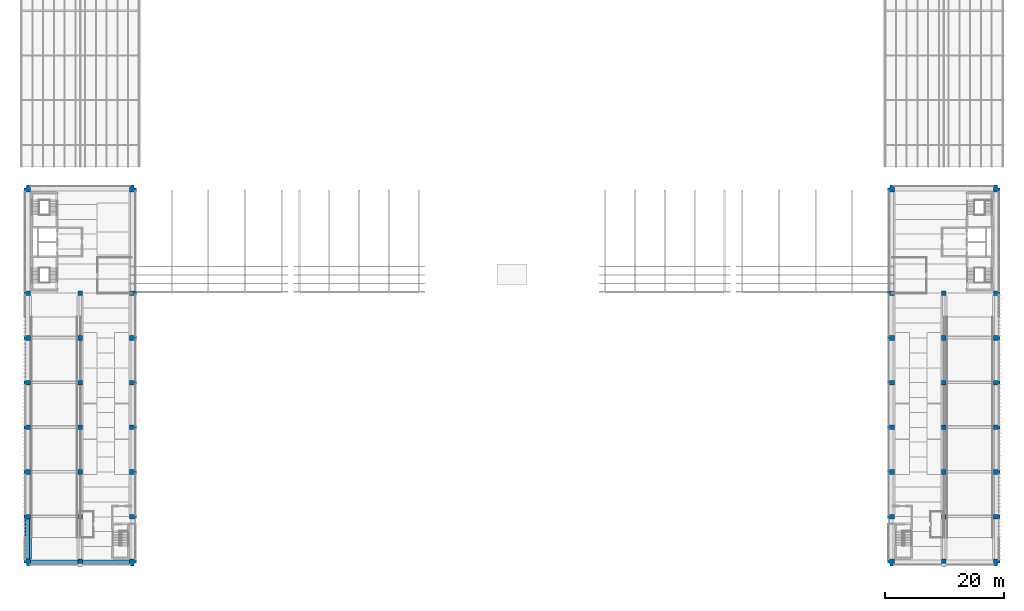
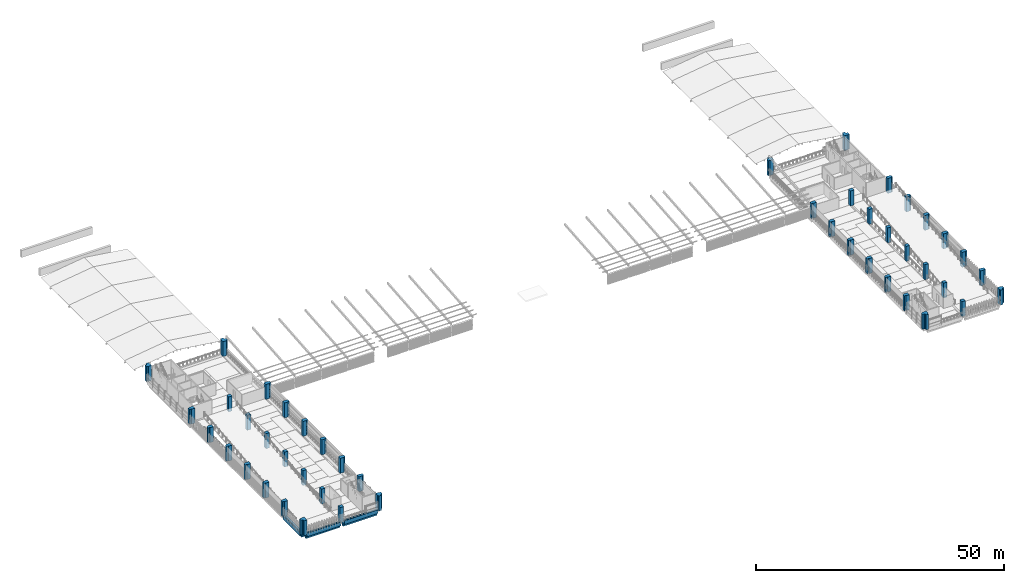
# One storey, part 1 of 52: 46 columns, 3 beams.
"""IFC4 building model written with IfcOpenShell, lengths in metres."""

import ifcopenshell
import ifcopenshell.guid

model = None  # the IFC model being written
_history = None  # IfcOwnerHistory: only IFC2X3 demands one
_inside = {}  # id of a spatial element -> (the spatial element, [elements in it])
_under = {}  # id of a project, library or spatial element -> (it, [spatial elements below it])
_declared = {}  # id of a project -> (the project, [libraries it declares])
_typed = {}  # id of a type object -> (the type object, [elements of that type])
_made_of = {}  # id of a material, layer set ... -> (it, [elements and type objects made of it])


def new_model(schema):
    """Start an empty IFC model of exactly this schema.

    Asked for "IFC4X3", IfcOpenShell would pick the latest addendum, in which some entities
    have other attributes; the version numbers below select the first issue.
    IFC2X3 requires an IfcOwnerHistory on every rooted entity: one is made here for all.
    """
    global model, _history
    if schema == "IFC4X3":
        model = ifcopenshell.file(schema_version=(4, 3, 0, 0))
    else:
        model = ifcopenshell.file(schema=schema)
    _inside.clear()
    _under.clear()
    _declared.clear()
    _typed.clear()
    _made_of.clear()
    _history = None
    if model.schema == "IFC2X3":
        org = make("IfcOrganization", Name="unknown")
        user = make(
            "IfcPersonAndOrganization",
            ThePerson=make("IfcPerson", FamilyName="unknown"),
            TheOrganization=org,
        )
        app = make(
            "IfcApplication",
            ApplicationDeveloper=org,
            Version="unknown",
            ApplicationFullName="unknown",
            ApplicationIdentifier="unknown",
        )
        _history = make(
            "IfcOwnerHistory",
            OwningUser=user,
            OwningApplication=app,
            ChangeAction="ADDED",
            CreationDate=0,
        )
    return model


def make(cls, **values):
    """One entity of the class cls with the attributes given. An attribute that is None is left unset."""
    return model.create_entity(
        cls, **{name: value for name, value in values.items() if value is not None}
    )


def rooted(cls, **values):
    """An entity with a GlobalId (a new one), such as an element, a storey or a relation."""
    return make(cls, GlobalId=ifcopenshell.guid.new(), OwnerHistory=_history, **values)


def si_unit(unit_type, name, prefix=None):
    """IfcSIUnit, for example si_unit("LENGTHUNIT", "METRE", prefix="MILLI")."""
    return make("IfcSIUnit", UnitType=unit_type, Prefix=prefix, Name=name)


def assignment(units):
    """IfcUnitAssignment: the units of a project."""
    return None if units is None else make("IfcUnitAssignment", Units=units)


def point(xyz):
    """IfcCartesianPoint."""
    return None if xyz is None else make("IfcCartesianPoint", Coordinates=xyz)


def direction(xyz):
    """IfcDirection."""
    return None if xyz is None else make("IfcDirection", DirectionRatios=xyz)


def frame(location, z_axis=None, x_axis=None):
    """IfcAxis2Placement3D, a coordinate frame: its origin and axes. An axis left out is left unset."""
    return make(
        "IfcAxis2Placement3D",
        Location=point(location),
        Axis=direction(z_axis),
        RefDirection=direction(x_axis),
    )


def origin():
    """The frame at (0, 0, 0) with its axes left unset."""
    return frame((0.0, 0.0, 0.0))


def place(relative_to, where):
    """IfcLocalPlacement: puts the frame where relative to a parent placement (None: the world)."""
    return make(
        "IfcLocalPlacement", PlacementRelTo=relative_to, RelativePlacement=where
    )


def context(
    kind, dimensions, precision=None, world=None, true_north=None, identifier=None
):
    """IfcGeometricRepresentationContext, for example the 3D "Model" context."""
    return make(
        "IfcGeometricRepresentationContext",
        ContextIdentifier=identifier,
        ContextType=kind,
        CoordinateSpaceDimension=dimensions,
        Precision=precision,
        WorldCoordinateSystem=world,
        TrueNorth=true_north,
    )


def subcontext(parent, identifier, kind, view, scale=None):
    """IfcGeometricRepresentationSubContext, for example "Body" below "Model"."""
    return make(
        "IfcGeometricRepresentationSubContext",
        ContextIdentifier=identifier,
        ContextType=kind,
        ParentContext=parent,
        TargetScale=scale,
        TargetView=view,
    )


def project(units=None, contexts=None):
    """IfcProject with its units and contexts."""
    return rooted(
        "IfcProject",
        Name="project",
        RepresentationContexts=contexts,
        UnitsInContext=assignment(units),
    )


def spatial(cls, under=None, at=None, **own):
    """A site, building, storey or space (cls), placed at a placement, below another one or the project."""
    s = rooted(cls, ObjectPlacement=at, **own)
    if under is not None:
        _under.setdefault(under.id(), (under, []))[1].append(s)
    return s


def polyline(points):
    """IfcPolyline through the points."""
    return make("IfcPolyline", Points=[point(p) for p in points])


def outline(outer, holes=None, kind="AREA"):
    """IfcArbitraryClosedProfileDef: a profile drawn as a closed curve; with holes, ...WithVoids."""
    if holes is None:
        return make("IfcArbitraryClosedProfileDef", ProfileType=kind, OuterCurve=outer)
    return make(
        "IfcArbitraryProfileDefWithVoids",
        ProfileType=kind,
        OuterCurve=outer,
        InnerCurves=holes,
    )


def extrude(swept, where, along, depth):
    """IfcExtrudedAreaSolid: the profile swept, set in the frame where, extruded along a direction by depth."""
    return make(
        "IfcExtrudedAreaSolid",
        SweptArea=swept,
        Position=where,
        ExtrudedDirection=direction(along),
        Depth=depth,
    )


def shape(context_of_items, identifier, shape_type, items):
    """IfcShapeRepresentation: the items that make up one representation, for example the "Body"."""
    return make(
        "IfcShapeRepresentation",
        ContextOfItems=context_of_items,
        RepresentationIdentifier=identifier,
        RepresentationType=shape_type,
        Items=items,
    )


def material(Name=None, Category=None):
    """IfcMaterial."""
    return make("IfcMaterial", Name=Name, Category=Category)


def material_profile(
    of_material, cross_section, Name=None, Category=None, Priority=None
):
    """IfcMaterialProfile: a cross section and its material."""
    return make(
        "IfcMaterialProfile",
        Name=Name,
        Material=of_material,
        Profile=cross_section,
        Priority=Priority,
        Category=Category,
    )


def profile_set(profiles, Name=None, composite=None):
    """IfcMaterialProfileSet."""
    return make(
        "IfcMaterialProfileSet",
        Name=Name,
        MaterialProfiles=profiles,
        CompositeProfile=composite,
    )


def made_of(thing, what):
    """Note that an element or type object is made of a material, layer set ...; save() writes the relation."""
    if what is not None:
        _made_of.setdefault(what.id(), (what, []))[1].append(thing)
    return thing


def type_object(cls, material=None, **own):
    """A type object (cls), such as IfcWallType, which elements share."""
    return made_of(rooted(cls, **own), material)


def element(
    cls,
    number,
    at=None,
    inside=None,
    cuts=None,
    type_object=None,
    material=None,
    context=None,
    identifier="Body",
    shape_type=None,
    held_by="IfcProductDefinitionShape",
    body=None,
    shapes=None,
    **own,
):
    """One element of the class cls, such as IfcWall. Its Tag is "e" and its number.

    at: its placement. inside: the storey or other place that contains it. cuts: it is an
    opening in that element (IfcRelVoidsElement). A single representation is given by context,
    identifier, shape_type and body (its items); several are given by shapes. held_by: the class
    of the entity that holds the representations. save() writes the other relations.
    """
    e = rooted(cls, Tag="e%d" % number, ObjectPlacement=at, **own)
    if body is not None:
        shapes = [shape(context, identifier, shape_type, body)]
    if shapes is not None:
        e.Representation = make(held_by, Representations=shapes)
    if inside is not None:
        _inside.setdefault(inside.id(), (inside, []))[1].append(e)
    if cuts is not None:
        rooted(
            "IfcRelVoidsElement", RelatingBuildingElement=cuts, RelatedOpeningElement=e
        )
    if type_object is not None:
        _typed.setdefault(type_object.id(), (type_object, []))[1].append(e)
    return made_of(e, material)


def aggregate(whole, parts):
    """IfcRelAggregates: a whole, such as a stair, and the parts it consists of."""
    return rooted("IfcRelAggregates", RelatingObject=whole, RelatedObjects=parts)


def save(model, path):
    """Write the relations noted so far, then the file.

    IfcRelAggregates (storeys below a building ...), IfcRelContainedInSpatialStructure (elements
    in a storey), IfcRelDefinesByType, IfcRelAssociatesMaterial and IfcRelDeclares: one each for
    every whole, place, type object, material and project.
    """
    for whole, parts in _under.values():
        aggregate(whole, parts)
    for where, things in _inside.values():
        rooted(
            "IfcRelContainedInSpatialStructure",
            RelatedElements=things,
            RelatingStructure=where,
        )
    for kind, things in _typed.values():
        rooted("IfcRelDefinesByType", RelatedObjects=things, RelatingType=kind)
    for what, things in _made_of.values():
        rooted("IfcRelAssociatesMaterial", RelatedObjects=things, RelatingMaterial=what)
    for by, libraries in _declared.values():
        rooted("IfcRelDeclares", RelatingContext=by, RelatedDefinitions=libraries)
    model.write(path)


model = new_model("IFC4")

# Units and contexts
model_context = context("Model", 3, precision=1e-05, world=origin(), true_north=direction((0.0, 1.0)))
body_context = subcontext(model_context, "Body", "Model", "MODEL_VIEW")
ifc_project = project(units=[si_unit("LENGTHUNIT", "METRE"), si_unit("AREAUNIT", "SQUARE_METRE"), si_unit("VOLUMEUNIT", "CUBIC_METRE"), si_unit("PLANEANGLEUNIT", "RADIAN"), si_unit("MASSUNIT", "GRAM", prefix="KILO")], contexts=[model_context])

# Site, building, storey
site_placement = place(None, origin())
site = spatial("IfcSite", under=ifc_project, at=site_placement, CompositionType="ELEMENT")
building_placement = place(site_placement, origin())
building = spatial("IfcBuilding", under=site, at=building_placement, Name="Cour d'Honneur Mobility Palace", CompositionType="ELEMENT")
storey_placement = place(building_placement, frame((0.0, 0.0, 23.0)))
storey = spatial("IfcBuildingStorey", under=building, at=storey_placement, Name="L06", CompositionType="ELEMENT", Elevation=23.0)

# Columns
ifc_material_1 = material(Name="Concrete C50", Category="concrete")
ifc_material_profile_1 = material_profile(ifc_material_1, outline(polyline([(-0.39990234375, -0.39990234375), (0.39990234375, -0.39990234375), (0.39990234375, -0.300048828125), (0.75, -0.300048828125), (0.75, 0.300048828125), (0.39990234375, 0.300048828125), (0.39990234375, 0.39990234375), (0.300048828125, 0.39990234375), (0.300048828125, 0.75), (-0.300048828125, 0.75), (-0.300048828125, 0.39990234375), (-0.39990234375, 0.39990234375), (-0.39990234375, -0.39990234375)])), Name="PC C800 corner")
ifc_profile_set_1 = profile_set([ifc_material_profile_1], Name="Concrete C50")
column_type_1 = type_object("IfcColumnType", Name="Precast Column 800 corner", PredefinedType="COLUMN", material=ifc_profile_set_1)
for number, where, z_axis, x_axis, name in (
    (1, (0.0, 0.0, 0.0), (0.0, 0.0, 1.0), (-1.0, 0.0, 0.0), "Precast column C4 1/A L06"),
    (2, (17.39990234375, 0.0, 0.0), (0.0, 0.0, 1.0), (0.0, -1.0, 0.0), "Precast column C4 2/A L06"),
    (3, (144.89990234375, 0.0, 0.0), (0.0, 0.0, 1.0), (-1.0, 0.0, 0.0), "Precast column C4 19/A L06"),
    (4, (162.300048828125, 0.0, 0.0), (0.0, 0.0, 1.0), (0.0, -1.0, 0.0), "Precast column C4 20/A L06"),
    (5, (0.0, 62.39990234375, 0.0), (0.0, 0.0, 1.0), (0.0, 1.0, 0.0), "Precast column C4 1/H L06"),
    (6, (17.39990234375, 62.39990234375, 0.0), (0.0, 0.0, 1.0), (1.0, 0.0, 0.0), "Precast column C4 2/H L06"),
    (7, (144.89990234375, 62.39990234375, 0.0), (0.0, 0.0, 1.0), (0.0, 1.0, 0.0), "Precast column C4 19/H L06"),
    (8, (162.300048828125, 62.39990234375, 0.0), (0.0, 0.0, 1.0), (1.0, 0.0, 0.0), "Precast column C4 20/H L06"),
):
    element("IfcColumn", number, at=place(storey_placement, frame(where, z_axis=z_axis, x_axis=x_axis)), inside=storey, type_object=column_type_1, Name=name, PredefinedType="COLUMN", context=body_context, shape_type="SweptSolid", body=[
        extrude(outline(polyline([(-0.39990234375, -0.39990234375), (0.39990234375, -0.39990234375), (0.39990234375, -0.300048828125), (0.75, -0.300048828125), (0.75, 0.300048828125), (0.39990234375, 0.300048828125), (0.39990234375, 0.39990234375), (0.300048828125, 0.39990234375), (0.300048828125, 0.75), (-0.300048828125, 0.75), (-0.300048828125, 0.39990234375), (-0.39990234375, 0.39990234375), (-0.39990234375, -0.39990234375)])), origin(), (0.0, 0.0, 1.0), 3.699951171875),
    ])
ifc_material_2 = material(Name="Concrete C50", Category="concrete")
ifc_material_profile_2 = material_profile(ifc_material_2, outline(polyline([(-0.39990234375, -0.39990234375), (0.39990234375, -0.39990234375), (0.39990234375, -0.300048828125), (0.75, -0.300048828125), (0.75, 0.300048828125), (0.39990234375, 0.300048828125), (0.39990234375, 0.39990234375), (-0.39990234375, 0.39990234375), (-0.39990234375, -0.39990234375)])), Name="PC C800 pilaster")
ifc_profile_set_2 = profile_set([ifc_material_profile_2], Name="Concrete C50")
column_type_2 = type_object("IfcColumnType", Name="Precast Column 800 pilaster", PredefinedType="COLUMN", material=ifc_profile_set_2)
for number, where, z_axis, x_axis, name in (
    (9, (0.0, 7.5, 0.0), (0.0, 0.0, 1.0), (-1.0, 0.0, 0.0), "Precast column C6 1/B L06"),
    (10, (17.39990234375, 7.5, 0.0), (0.0, 0.0, 1.0), (1.0, 0.0, 0.0), "Precast column C6 2/B L06"),
    (11, (144.89990234375, 7.5, 0.0), (0.0, 0.0, 1.0), (-1.0, 0.0, 0.0), "Precast column C6 19/B L06"),
    (12, (162.300048828125, 7.5, 0.0), (0.0, 0.0, 1.0), (1.0, 0.0, 0.0), "Precast column C6 20/B L06"),
    (13, (0.0, 15.0, 0.0), (0.0, 0.0, 1.0), (-1.0, 0.0, 0.0), "Precast column C6 1/C L06"),
    (14, (17.39990234375, 15.0, 0.0), (0.0, 0.0, 1.0), (1.0, 0.0, 0.0), "Precast column C6 2/C L06"),
    (15, (144.89990234375, 15.0, 0.0), (0.0, 0.0, 1.0), (-1.0, 0.0, 0.0), "Precast column C6 19/C L06"),
    (16, (162.300048828125, 15.0, 0.0), (0.0, 0.0, 1.0), (1.0, 0.0, 0.0), "Precast column C6 20/C L06"),
    (17, (0.0, 22.5, 0.0), (0.0, 0.0, 1.0), (-1.0, 0.0, 0.0), "Precast column C6 1/D L06"),
    (18, (17.39990234375, 22.5, 0.0), (0.0, 0.0, 1.0), (1.0, 0.0, 0.0), "Precast column C6 2/D L06"),
    (19, (144.89990234375, 22.5, 0.0), (0.0, 0.0, 1.0), (-1.0, 0.0, 0.0), "Precast column C6 19/D L06"),
    (20, (162.300048828125, 22.5, 0.0), (0.0, 0.0, 1.0), (1.0, 0.0, 0.0), "Precast column C6 20/D L06"),
    (21, (0.0, 30.0, 0.0), (0.0, 0.0, 1.0), (-1.0, 0.0, 0.0), "Precast column C6 1/E L06"),
    (22, (17.39990234375, 30.0, 0.0), (0.0, 0.0, 1.0), (1.0, 0.0, 0.0), "Precast column C6 2/E L06"),
    (23, (144.89990234375, 30.0, 0.0), (0.0, 0.0, 1.0), (-1.0, 0.0, 0.0), "Precast column C6 19/E L06"),
    (24, (162.300048828125, 30.0, 0.0), (0.0, 0.0, 1.0), (1.0, 0.0, 0.0), "Precast column C6 20/E L06"),
    (25, (0.0, 37.5, 0.0), (0.0, 0.0, 1.0), (-1.0, 0.0, 0.0), "Precast column C6 1/F L06"),
    (26, (17.39990234375, 37.5, 0.0), (0.0, 0.0, 1.0), (1.0, 0.0, 0.0), "Precast column C6 2/F L06"),
    (27, (144.89990234375, 37.5, 0.0), (0.0, 0.0, 1.0), (-1.0, 0.0, 0.0), "Precast column C6 19/F L06"),
    (28, (162.300048828125, 37.5, 0.0), (0.0, 0.0, 1.0), (1.0, 0.0, 0.0), "Precast column C6 20/F L06"),
    (29, (0.0, 45.0, 0.0), (0.0, 0.0, 1.0), (-1.0, 0.0, 0.0), "Precast column C6 1/G L06"),
    (30, (17.39990234375, 45.0, 0.0), (0.0, 0.0, 1.0), (1.0, 0.0, 0.0), "Precast column C6 2/G L06"),
    (31, (144.89990234375, 45.0, 0.0), (0.0, 0.0, 1.0), (-1.0, 0.0, 0.0), "Precast column C6 19/G L06"),
    (32, (162.300048828125, 45.0, 0.0), (0.0, 0.0, 1.0), (1.0, 0.0, 0.0), "Precast column C6 20/G L06"),
):
    element("IfcColumn", number, at=place(storey_placement, frame(where, z_axis=z_axis, x_axis=x_axis)), inside=storey, type_object=column_type_2, Name=name, PredefinedType="COLUMN", context=body_context, shape_type="SweptSolid", body=[
        extrude(outline(polyline([(-0.39990234375, -0.39990234375), (0.39990234375, -0.39990234375), (0.39990234375, -0.300048828125), (0.75, -0.300048828125), (0.75, 0.300048828125), (0.39990234375, 0.300048828125), (0.39990234375, 0.39990234375), (-0.39990234375, 0.39990234375), (-0.39990234375, -0.39990234375)])), origin(), (0.0, 0.0, 1.0), 3.699951171875),
    ])
ifc_material_3 = material(Name="Concrete C50", Category="concrete")
ifc_material_profile_3 = material_profile(ifc_material_3, outline(polyline([(-0.39990234375, -0.39990234375), (0.39990234375, -0.39990234375), (0.39990234375, 0.39990234375), (-0.39990234375, 0.39990234375), (-0.39990234375, -0.39990234375)])), Name="PC C800 plain")
ifc_profile_set_3 = profile_set([ifc_material_profile_3], Name="Concrete C50")
column_type_3 = type_object("IfcColumnType", Name="Precast Column 800 plain", PredefinedType="COLUMN", material=ifc_profile_set_3)
for number, where, z_axis, x_axis, name in (
    (33, (8.699951171875, 0.0, 0.0), (0.0, 0.0, 1.0), (1.0, 0.0, 0.0), "Precast column C5 1A/A L06"),
    (34, (153.60009765625, 0.0, 0.0), (0.0, 0.0, 1.0), (1.0, 0.0, 0.0), "Precast column C5 19A/A L06"),
    (35, (8.699951171875, 7.5, 0.0), (0.0, 0.0, 1.0), (1.0, 0.0, 0.0), "Precast column C5 1A/B L06"),
    (36, (153.60009765625, 7.5, 0.0), (0.0, 0.0, 1.0), (1.0, 0.0, 0.0), "Precast column C5 19A/B L06"),
    (37, (8.699951171875, 15.0, 0.0), (0.0, 0.0, 1.0), (1.0, 0.0, 0.0), "Precast column C5 1A/C L06"),
    (38, (153.60009765625, 15.0, 0.0), (0.0, 0.0, 1.0), (1.0, 0.0, 0.0), "Precast column C5 19A/C L06"),
    (39, (8.699951171875, 22.5, 0.0), (0.0, 0.0, 1.0), (1.0, 0.0, 0.0), "Precast column C5 1A/D L06"),
    (40, (153.60009765625, 22.5, 0.0), (0.0, 0.0, 1.0), (1.0, 0.0, 0.0), "Precast column C5 19A/D L06"),
    (41, (8.699951171875, 30.0, 0.0), (0.0, 0.0, 1.0), (1.0, 0.0, 0.0), "Precast column C5 1A/E L06"),
    (42, (153.60009765625, 30.0, 0.0), (0.0, 0.0, 1.0), (1.0, 0.0, 0.0), "Precast column C5 19A/E L06"),
    (43, (8.699951171875, 37.5, 0.0), (0.0, 0.0, 1.0), (1.0, 0.0, 0.0), "Precast column C5 1A/F L06"),
    (44, (153.60009765625, 37.5, 0.0), (0.0, 0.0, 1.0), (1.0, 0.0, 0.0), "Precast column C5 19A/F L06"),
    (45, (8.699951171875, 45.0, 0.0), (0.0, 0.0, 1.0), (1.0, 0.0, 0.0), "Precast column C5 1A/G L06"),
    (46, (153.60009765625, 45.0, 0.0), (0.0, 0.0, 1.0), (1.0, 0.0, 0.0), "Precast column C5 19A/G L06"),
):
    element("IfcColumn", number, at=place(storey_placement, frame(where, z_axis=z_axis, x_axis=x_axis)), inside=storey, type_object=column_type_3, Name=name, PredefinedType="COLUMN", context=body_context, shape_type="SweptSolid", body=[
        extrude(outline(polyline([(-0.39990234375, -0.39990234375), (0.39990234375, -0.39990234375), (0.39990234375, 0.39990234375), (-0.39990234375, 0.39990234375), (-0.39990234375, -0.39990234375)])), origin(), (0.0, 0.0, 1.0), 3.699951171875),
    ])

# Beams
ifc_material_4 = material(Name="Concrete C45", Category="concrete")
ifc_material_profile_4 = material_profile(ifc_material_4, outline(polyline([(0.22509765625, -1.300048828125), (0.22509765625, 0.0), (-0.22509765625, 0.0), (-0.449951171875, 0.0), (-0.449951171875, 0.300048828125), (-0.64990234375, 0.300048828125), (-0.64990234375, -0.60009765625), (-0.22509765625, -0.60009765625), (-0.22509765625, -1.300048828125), (0.22509765625, -1.300048828125)])), Name="Edge Spandrel Beam 450x1300 no ledge facade right")
ifc_profile_set_4 = profile_set([ifc_material_profile_4], Name="Concrete C45")
beam_type_1 = type_object("IfcBeamType", Name="Edge Spandrel Beam 450x1300 no ledge facade right", PredefinedType="SPANDREL", material=ifc_profile_set_4)
beam_1_placement = place(storey_placement, frame((0.39990234375, 0.0, 0.0), z_axis=(1.0, 0.0, 0.0), x_axis=(0.0, 1.0, 0.0)))
element("IfcBeam", 47, at=beam_1_placement, inside=storey, type_object=beam_type_1, Name="Precast beam B1 1-1A L06", PredefinedType="SPANDREL", context=body_context, shape_type="SweptSolid", body=[
    extrude(outline(polyline([(0.22509765625, -1.300048828125), (0.22509765625, 0.0), (-0.22509765625, 0.0), (-0.449951171875, 0.0), (-0.449951171875, 0.300048828125), (-0.64990234375, 0.300048828125), (-0.64990234375, -0.60009765625), (-0.22509765625, -0.60009765625), (-0.22509765625, -1.300048828125), (0.22509765625, -1.300048828125)])), origin(), (0.0, 0.0, 1.0), 7.900146484375),
])
beam_2_placement = place(storey_placement, frame((9.10009765625, 0.0, 0.0), z_axis=(1.0, 0.0, 0.0), x_axis=(0.0, 1.0, 0.0)))
element("IfcBeam", 48, at=beam_2_placement, inside=storey, type_object=beam_type_1, Name="Precast beam B1 1A-2 L06", PredefinedType="SPANDREL", context=body_context, shape_type="SweptSolid", body=[
    extrude(outline(polyline([(0.22509765625, -1.300048828125), (0.22509765625, 0.0), (-0.22509765625, 0.0), (-0.449951171875, 0.0), (-0.449951171875, 0.300048828125), (-0.64990234375, 0.300048828125), (-0.64990234375, -0.60009765625), (-0.22509765625, -0.60009765625), (-0.22509765625, -1.300048828125), (0.22509765625, -1.300048828125)])), origin(), (0.0, 0.0, 1.0), 7.89990234375),
])
ifc_material_5 = material(Name="Concrete C45", Category="concrete")
ifc_material_profile_5 = material_profile(ifc_material_5, outline(polyline([(0.199951171875, -1.10009765625), (0.199951171875, -0.60009765625), (0.64990234375, -0.60009765625), (0.64990234375, 0.300048828125), (0.449951171875, 0.300048828125), (0.449951171875, 0.0), (0.199951171875, 0.0), (-0.199951171875, 0.0), (-0.199951171875, -0.800048828125), (-0.5, -0.800048828125), (-0.5, -1.10009765625), (0.199951171875, -1.10009765625)])), Name="Ledger Beam 400x1100 ledge right 300 facade left")
ifc_profile_set_5 = profile_set([ifc_material_profile_5], Name="Concrete C45")
beam_type_2 = type_object("IfcBeamType", Name="Ledger Beam 400x1100 ledge right 300 facade left", PredefinedType="BEAM", material=ifc_profile_set_5)
beam_3_placement = place(storey_placement, frame((0.0, 0.39990234375, 0.0), z_axis=(0.0, 1.0, 0.0), x_axis=(-1.0, 0.0, 0.0)))
element("IfcBeam", 49, at=beam_3_placement, inside=storey, type_object=beam_type_2, Name="Precast beam B6 A-B L06", PredefinedType="BEAM", context=body_context, shape_type="SweptSolid", body=[
    extrude(outline(polyline([(0.199951171875, -1.10009765625), (0.199951171875, -0.60009765625), (0.64990234375, -0.60009765625), (0.64990234375, 0.300048828125), (0.449951171875, 0.300048828125), (0.449951171875, 0.0), (0.199951171875, 0.0), (-0.199951171875, 0.0), (-0.199951171875, -0.800048828125), (-0.5, -0.800048828125), (-0.5, -1.10009765625), (0.199951171875, -1.10009765625)])), origin(), (0.0, 0.0, 1.0), 6.7001953125),
])

save(model, "model.ifc")
